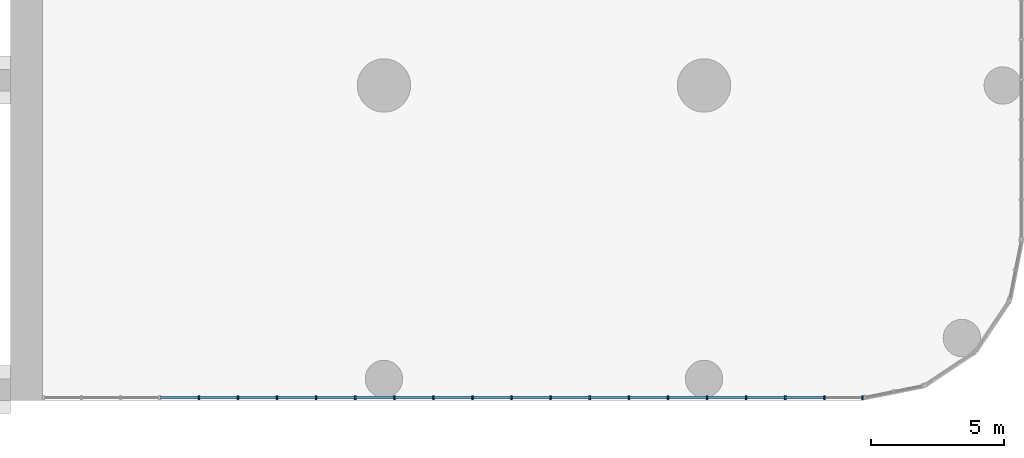
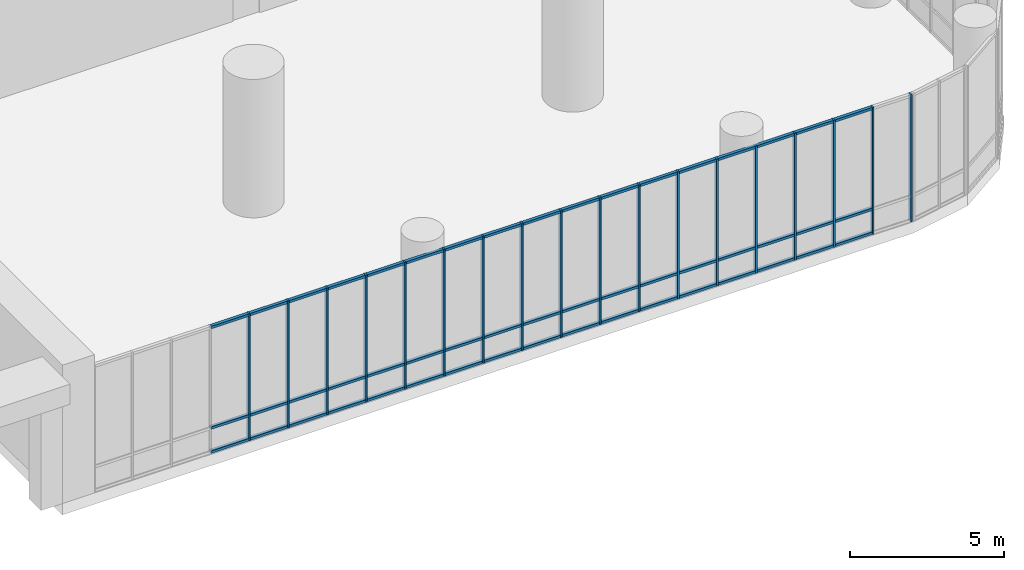
# One storey, part 13 of 30: 69 members, 1 element without a shape of its own.
"""IFC4 building model written with IfcOpenShell, lengths in metres."""

from ifc_helpers import new_model, si_unit, direction, frame, origin, origin_2d, place, context, subcontext, project, spatial, rectangle, extrude, material, layer, layer_set, material_profile, profile_set, type_object, element, aggregate, save


model = new_model("IFC4")

# Units and contexts
model_context = context("Model", 3, precision=1e-05, world=origin(), true_north=direction((0.0, 1.0)))
body_context = subcontext(model_context, "Body", "Model", "MODEL_VIEW")
ifc_project = project(units=[si_unit("LENGTHUNIT", "METRE"), si_unit("AREAUNIT", "SQUARE_METRE"), si_unit("VOLUMEUNIT", "CUBIC_METRE"), si_unit("PLANEANGLEUNIT", "RADIAN"), si_unit("MASSUNIT", "GRAM", prefix="KILO")], contexts=[model_context])

# Site, building, storey
site_placement = place(None, origin())
site = spatial("IfcSite", under=ifc_project, at=site_placement, CompositionType="ELEMENT")
building_placement = place(site_placement, origin())
building = spatial("IfcBuilding", under=site, at=building_placement, Name="Torana Hotel and Residences", CompositionType="ELEMENT")
storey_placement = place(building_placement, frame((0.0, 0.0, 12.5)))
storey = spatial("IfcBuildingStorey", under=building, at=storey_placement, Name="L02", CompositionType="ELEMENT", Elevation=12.5)

# Curtain wall, members
ifc_material_1 = material(Name="Dark anodised aluminium", Category="aluminium")
ifc_layer = layer(ifc_material_1, 0.14990234375)
ifc_layer_set = layer_set([ifc_layer], Name="CW5 PODIUM UPPER UNITISED CURTAIN WALL")
curtain_wall_type = type_object("IfcCurtainWallType", Name="CW5 PODIUM UPPER UNITISED CURTAIN WALL", PredefinedType="NOTDEFINED", material=ifc_layer_set)
curtain_wall_placement = place(storey_placement, origin())
curtain_wall = element("IfcCurtainWall", 1, at=curtain_wall_placement, inside=storey, type_object=curtain_wall_type, Name="Curtain wall CW5 L02 e1.0", PredefinedType="NOTDEFINED")
ifc_material_2 = material(Name="Dark anodised aluminium", Category="aluminium")
ifc_material_profile_1 = material_profile(ifc_material_2, rectangle(XDim=0.14990234375, YDim=0.06005859375, at=origin_2d()), Name="CW5 MULLION 60x150")
ifc_profile_set_1 = profile_set([ifc_material_profile_1], Name="Dark anodised aluminium")
member_type_1 = type_object("IfcMemberType", Name="CW5 MULLION 60x150", PredefinedType="MULLION", material=ifc_profile_set_1)
member_1_placement = place(storey_placement, frame((17.06201171875, -39.89990234375, 0.0), z_axis=(0.0, 0.0, 1.0), x_axis=(0.0, 1.0, 0.0)))
member_1 = element("IfcMember", 2, at=member_1_placement, type_object=member_type_1, Name="CW5 mullion 5", PredefinedType="MULLION", context=body_context, shape_type="SweptSolid", body=[
    extrude(rectangle(XDim=0.14990234375, YDim=0.06005859375, at=origin_2d()), origin(), (0.0, 0.0, 1.0), 5.050048828125),
])
member_2_placement = place(storey_placement, frame((18.527587890625, -39.89990234375, 0.0), z_axis=(0.0, 0.0, 1.0), x_axis=(0.0, 1.0, 0.0)))
member_2 = element("IfcMember", 3, at=member_2_placement, type_object=member_type_1, Name="CW5 mullion 6", PredefinedType="MULLION", context=body_context, shape_type="SweptSolid", body=[
    extrude(rectangle(XDim=0.14990234375, YDim=0.06005859375, at=origin_2d()), origin(), (0.0, 0.0, 1.0), 5.050048828125),
])
member_3_placement = place(storey_placement, frame((19.992919921875, -39.89990234375, 0.0), z_axis=(0.0, 0.0, 1.0), x_axis=(0.0, 1.0, 0.0)))
member_3 = element("IfcMember", 4, at=member_3_placement, type_object=member_type_1, Name="CW5 mullion 7", PredefinedType="MULLION", context=body_context, shape_type="SweptSolid", body=[
    extrude(rectangle(XDim=0.14990234375, YDim=0.06005859375, at=origin_2d()), origin(), (0.0, 0.0, 1.0), 5.050048828125),
])
member_4_placement = place(storey_placement, frame((21.45849609375, -39.89990234375, 0.0), z_axis=(0.0, 0.0, 1.0), x_axis=(0.0, 1.0, 0.0)))
member_4 = element("IfcMember", 5, at=member_4_placement, type_object=member_type_1, Name="CW5 mullion 8", PredefinedType="MULLION", context=body_context, shape_type="SweptSolid", body=[
    extrude(rectangle(XDim=0.14990234375, YDim=0.06005859375, at=origin_2d()), origin(), (0.0, 0.0, 1.0), 5.050048828125),
])
member_5_placement = place(storey_placement, frame((22.924072265625, -39.89990234375, 0.0), z_axis=(0.0, 0.0, 1.0), x_axis=(0.0, 1.0, 0.0)))
member_5 = element("IfcMember", 6, at=member_5_placement, type_object=member_type_1, Name="CW5 mullion 9", PredefinedType="MULLION", context=body_context, shape_type="SweptSolid", body=[
    extrude(rectangle(XDim=0.14990234375, YDim=0.06005859375, at=origin_2d()), origin(), (0.0, 0.0, 1.0), 5.050048828125),
])
member_6_placement = place(storey_placement, frame((24.389404296875, -39.89990234375, 0.0), z_axis=(0.0, 0.0, 1.0), x_axis=(0.0, 1.0, 0.0)))
member_6 = element("IfcMember", 7, at=member_6_placement, type_object=member_type_1, Name="CW5 mullion 10", PredefinedType="MULLION", context=body_context, shape_type="SweptSolid", body=[
    extrude(rectangle(XDim=0.14990234375, YDim=0.06005859375, at=origin_2d()), origin(), (0.0, 0.0, 1.0), 5.050048828125),
])
member_7_placement = place(storey_placement, frame((25.85498046875, -39.89990234375, 0.0), z_axis=(0.0, 0.0, 1.0), x_axis=(0.0, 1.0, 0.0)))
member_7 = element("IfcMember", 8, at=member_7_placement, type_object=member_type_1, Name="CW5 mullion 11", PredefinedType="MULLION", context=body_context, shape_type="SweptSolid", body=[
    extrude(rectangle(XDim=0.14990234375, YDim=0.06005859375, at=origin_2d()), origin(), (0.0, 0.0, 1.0), 5.050048828125),
])
member_8_placement = place(storey_placement, frame((27.320556640625, -39.89990234375, 0.0), z_axis=(0.0, 0.0, 1.0), x_axis=(0.0, 1.0, 0.0)))
member_8 = element("IfcMember", 9, at=member_8_placement, type_object=member_type_1, Name="CW5 mullion 12", PredefinedType="MULLION", context=body_context, shape_type="SweptSolid", body=[
    extrude(rectangle(XDim=0.14990234375, YDim=0.06005859375, at=origin_2d()), origin(), (0.0, 0.0, 1.0), 5.050048828125),
])
member_9_placement = place(storey_placement, frame((28.785888671875, -39.89990234375, 0.0), z_axis=(0.0, 0.0, 1.0), x_axis=(0.0, 1.0, 0.0)))
member_9 = element("IfcMember", 10, at=member_9_placement, type_object=member_type_1, Name="CW5 mullion 13", PredefinedType="MULLION", context=body_context, shape_type="SweptSolid", body=[
    extrude(rectangle(XDim=0.14990234375, YDim=0.06005859375, at=origin_2d()), origin(), (0.0, 0.0, 1.0), 5.050048828125),
])
member_10_placement = place(storey_placement, frame((30.25146484375, -39.89990234375, 0.0), z_axis=(0.0, 0.0, 1.0), x_axis=(0.0, 1.0, 0.0)))
member_10 = element("IfcMember", 11, at=member_10_placement, type_object=member_type_1, Name="CW5 mullion 14", PredefinedType="MULLION", context=body_context, shape_type="SweptSolid", body=[
    extrude(rectangle(XDim=0.14990234375, YDim=0.06005859375, at=origin_2d()), origin(), (0.0, 0.0, 1.0), 5.050048828125),
])
member_11_placement = place(storey_placement, frame((31.717041015625, -39.89990234375, 0.0), z_axis=(0.0, 0.0, 1.0), x_axis=(0.0, 1.0, 0.0)))
member_11 = element("IfcMember", 12, at=member_11_placement, type_object=member_type_1, Name="CW5 mullion 15", PredefinedType="MULLION", context=body_context, shape_type="SweptSolid", body=[
    extrude(rectangle(XDim=0.14990234375, YDim=0.06005859375, at=origin_2d()), origin(), (0.0, 0.0, 1.0), 5.050048828125),
])
member_12_placement = place(storey_placement, frame((33.182373046875, -39.89990234375, 0.0), z_axis=(0.0, 0.0, 1.0), x_axis=(0.0, 1.0, 0.0)))
member_12 = element("IfcMember", 13, at=member_12_placement, type_object=member_type_1, Name="CW5 mullion 16", PredefinedType="MULLION", context=body_context, shape_type="SweptSolid", body=[
    extrude(rectangle(XDim=0.14990234375, YDim=0.06005859375, at=origin_2d()), origin(), (0.0, 0.0, 1.0), 5.050048828125),
])
member_13_placement = place(storey_placement, frame((34.64794921875, -39.89990234375, 0.0), z_axis=(0.0, 0.0, 1.0), x_axis=(0.0, 1.0, 0.0)))
member_13 = element("IfcMember", 14, at=member_13_placement, type_object=member_type_1, Name="CW5 mullion 17", PredefinedType="MULLION", context=body_context, shape_type="SweptSolid", body=[
    extrude(rectangle(XDim=0.14990234375, YDim=0.06005859375, at=origin_2d()), origin(), (0.0, 0.0, 1.0), 5.050048828125),
])
member_14_placement = place(storey_placement, frame((36.113525390625, -39.89990234375, 0.0), z_axis=(0.0, 0.0, 1.0), x_axis=(0.0, 1.0, 0.0)))
member_14 = element("IfcMember", 15, at=member_14_placement, type_object=member_type_1, Name="CW5 mullion 18", PredefinedType="MULLION", context=body_context, shape_type="SweptSolid", body=[
    extrude(rectangle(XDim=0.14990234375, YDim=0.06005859375, at=origin_2d()), origin(), (0.0, 0.0, 1.0), 5.050048828125),
])
member_15_placement = place(storey_placement, frame((37.578857421875, -39.89990234375, 0.0), z_axis=(0.0, 0.0, 1.0), x_axis=(0.0, 1.0, 0.0)))
member_15 = element("IfcMember", 16, at=member_15_placement, type_object=member_type_1, Name="CW5 mullion 19", PredefinedType="MULLION", context=body_context, shape_type="SweptSolid", body=[
    extrude(rectangle(XDim=0.14990234375, YDim=0.06005859375, at=origin_2d()), origin(), (0.0, 0.0, 1.0), 5.050048828125),
])
member_16_placement = place(storey_placement, frame((39.04443359375, -39.89990234375, 0.0), z_axis=(0.0, 0.0, 1.0), x_axis=(0.0, 1.0, 0.0)))
member_16 = element("IfcMember", 17, at=member_16_placement, type_object=member_type_1, Name="CW5 mullion 20", PredefinedType="MULLION", context=body_context, shape_type="SweptSolid", body=[
    extrude(rectangle(XDim=0.14990234375, YDim=0.06005859375, at=origin_2d()), origin(), (0.0, 0.0, 1.0), 5.050048828125),
])
member_17_placement = place(storey_placement, frame((40.510009765625, -39.89990234375, 0.0), z_axis=(0.0, 0.0, 1.0), x_axis=(0.0, 1.0, 0.0)))
member_17 = element("IfcMember", 18, at=member_17_placement, type_object=member_type_1, Name="CW5 mullion 21", PredefinedType="MULLION", context=body_context, shape_type="SweptSolid", body=[
    extrude(rectangle(XDim=0.14990234375, YDim=0.06005859375, at=origin_2d()), origin(), (0.0, 0.0, 1.0), 5.050048828125),
])
member_18_placement = place(storey_placement, frame((41.9453125, -39.89990234375, 0.0), z_axis=(0.0, 0.0, 1.0), x_axis=(0.0, 1.0, 0.0)))
member_18 = element("IfcMember", 19, at=member_18_placement, type_object=member_type_1, Name="CW5 mullion 22", PredefinedType="MULLION", context=body_context, shape_type="SweptSolid", body=[
    extrude(rectangle(XDim=0.14990234375, YDim=0.06005859375, at=origin_2d()), origin(), (0.0, 0.0, 1.0), 5.050048828125),
])
ifc_material_3 = material(Name="Dark anodised aluminium", Category="aluminium")
ifc_material_profile_2 = material_profile(ifc_material_3, rectangle(XDim=0.1201171875, YDim=0.10009765625, at=origin_2d()), Name="CW5 TRANSOM 120x100")
ifc_profile_set_2 = profile_set([ifc_material_profile_2], Name="Dark anodised aluminium")
member_type_2 = type_object("IfcMemberType", Name="CW5 TRANSOM 120x100", PredefinedType="USERDEFINED", material=ifc_profile_set_2)
member_19_placement = place(storey_placement, frame((15.62646484375, -39.89990234375, 0.050048828125), z_axis=(1.0, 0.0, 0.0), x_axis=(0.0, 1.0, 0.0)))
member_19 = element("IfcMember", 20, at=member_19_placement, type_object=member_type_2, Name="CW5 transom 4.1", ObjectType="TRANSOM", PredefinedType="USERDEFINED", context=body_context, shape_type="SweptSolid", body=[
    extrude(rectangle(XDim=0.1201171875, YDim=0.10009765625, at=origin_2d()), origin(), (0.0, 0.0, 1.0), 1.405517578125),
])
member_20_placement = place(storey_placement, frame((15.62646484375, -39.89990234375, 1.0), z_axis=(1.0, 0.0, 0.0), x_axis=(0.0, 1.0, 0.0)))
member_20 = element("IfcMember", 21, at=member_20_placement, type_object=member_type_2, Name="CW5 transom 4.2", ObjectType="TRANSOM", PredefinedType="USERDEFINED", context=body_context, shape_type="SweptSolid", body=[
    extrude(rectangle(XDim=0.1201171875, YDim=0.10009765625, at=origin_2d()), origin(), (0.0, 0.0, 1.0), 1.405517578125),
])
member_21_placement = place(storey_placement, frame((15.62646484375, -39.89990234375, 5.0), z_axis=(1.0, 0.0, 0.0), x_axis=(0.0, 1.0, 0.0)))
member_21 = element("IfcMember", 22, at=member_21_placement, type_object=member_type_2, Name="CW5 transom 4.3", ObjectType="TRANSOM", PredefinedType="USERDEFINED", context=body_context, shape_type="SweptSolid", body=[
    extrude(rectangle(XDim=0.1201171875, YDim=0.10009765625, at=origin_2d()), origin(), (0.0, 0.0, 1.0), 1.405517578125),
])
member_22_placement = place(storey_placement, frame((17.092041015625, -39.89990234375, 0.050048828125), z_axis=(1.0, 0.0, 0.0), x_axis=(0.0, 1.0, 0.0)))
member_22 = element("IfcMember", 23, at=member_22_placement, type_object=member_type_2, Name="CW5 transom 5.1", ObjectType="TRANSOM", PredefinedType="USERDEFINED", context=body_context, shape_type="SweptSolid", body=[
    extrude(rectangle(XDim=0.1201171875, YDim=0.10009765625, at=origin_2d()), origin(), (0.0, 0.0, 1.0), 1.405517578125),
])
member_23_placement = place(storey_placement, frame((17.092041015625, -39.89990234375, 1.0), z_axis=(1.0, 0.0, 0.0), x_axis=(0.0, 1.0, 0.0)))
member_23 = element("IfcMember", 24, at=member_23_placement, type_object=member_type_2, Name="CW5 transom 5.2", ObjectType="TRANSOM", PredefinedType="USERDEFINED", context=body_context, shape_type="SweptSolid", body=[
    extrude(rectangle(XDim=0.1201171875, YDim=0.10009765625, at=origin_2d()), origin(), (0.0, 0.0, 1.0), 1.405517578125),
])
member_24_placement = place(storey_placement, frame((17.092041015625, -39.89990234375, 5.0), z_axis=(1.0, 0.0, 0.0), x_axis=(0.0, 1.0, 0.0)))
member_24 = element("IfcMember", 25, at=member_24_placement, type_object=member_type_2, Name="CW5 transom 5.3", ObjectType="TRANSOM", PredefinedType="USERDEFINED", context=body_context, shape_type="SweptSolid", body=[
    extrude(rectangle(XDim=0.1201171875, YDim=0.10009765625, at=origin_2d()), origin(), (0.0, 0.0, 1.0), 1.405517578125),
])
member_25_placement = place(storey_placement, frame((18.557373046875, -39.89990234375, 0.050048828125), z_axis=(1.0, 0.0, 0.0), x_axis=(0.0, 1.0, 0.0)))
member_25 = element("IfcMember", 26, at=member_25_placement, type_object=member_type_2, Name="CW5 transom 6.1", ObjectType="TRANSOM", PredefinedType="USERDEFINED", context=body_context, shape_type="SweptSolid", body=[
    extrude(rectangle(XDim=0.1201171875, YDim=0.10009765625, at=origin_2d()), origin(), (0.0, 0.0, 1.0), 1.405517578125),
])
member_26_placement = place(storey_placement, frame((18.557373046875, -39.89990234375, 1.0), z_axis=(1.0, 0.0, 0.0), x_axis=(0.0, 1.0, 0.0)))
member_26 = element("IfcMember", 27, at=member_26_placement, type_object=member_type_2, Name="CW5 transom 6.2", ObjectType="TRANSOM", PredefinedType="USERDEFINED", context=body_context, shape_type="SweptSolid", body=[
    extrude(rectangle(XDim=0.1201171875, YDim=0.10009765625, at=origin_2d()), origin(), (0.0, 0.0, 1.0), 1.405517578125),
])
member_27_placement = place(storey_placement, frame((18.557373046875, -39.89990234375, 5.0), z_axis=(1.0, 0.0, 0.0), x_axis=(0.0, 1.0, 0.0)))
member_27 = element("IfcMember", 28, at=member_27_placement, type_object=member_type_2, Name="CW5 transom 6.3", ObjectType="TRANSOM", PredefinedType="USERDEFINED", context=body_context, shape_type="SweptSolid", body=[
    extrude(rectangle(XDim=0.1201171875, YDim=0.10009765625, at=origin_2d()), origin(), (0.0, 0.0, 1.0), 1.405517578125),
])
member_28_placement = place(storey_placement, frame((20.02294921875, -39.89990234375, 0.050048828125), z_axis=(1.0, 0.0, 0.0), x_axis=(0.0, 1.0, 0.0)))
member_28 = element("IfcMember", 29, at=member_28_placement, type_object=member_type_2, Name="CW5 transom 7.1", ObjectType="TRANSOM", PredefinedType="USERDEFINED", context=body_context, shape_type="SweptSolid", body=[
    extrude(rectangle(XDim=0.1201171875, YDim=0.10009765625, at=origin_2d()), origin(), (0.0, 0.0, 1.0), 1.405517578125),
])
member_29_placement = place(storey_placement, frame((20.02294921875, -39.89990234375, 1.0), z_axis=(1.0, 0.0, 0.0), x_axis=(0.0, 1.0, 0.0)))
member_29 = element("IfcMember", 30, at=member_29_placement, type_object=member_type_2, Name="CW5 transom 7.2", ObjectType="TRANSOM", PredefinedType="USERDEFINED", context=body_context, shape_type="SweptSolid", body=[
    extrude(rectangle(XDim=0.1201171875, YDim=0.10009765625, at=origin_2d()), origin(), (0.0, 0.0, 1.0), 1.405517578125),
])
member_30_placement = place(storey_placement, frame((20.02294921875, -39.89990234375, 5.0), z_axis=(1.0, 0.0, 0.0), x_axis=(0.0, 1.0, 0.0)))
member_30 = element("IfcMember", 31, at=member_30_placement, type_object=member_type_2, Name="CW5 transom 7.3", ObjectType="TRANSOM", PredefinedType="USERDEFINED", context=body_context, shape_type="SweptSolid", body=[
    extrude(rectangle(XDim=0.1201171875, YDim=0.10009765625, at=origin_2d()), origin(), (0.0, 0.0, 1.0), 1.405517578125),
])
member_31_placement = place(storey_placement, frame((21.488525390625, -39.89990234375, 0.050048828125), z_axis=(1.0, 0.0, 0.0), x_axis=(0.0, 1.0, 0.0)))
member_31 = element("IfcMember", 32, at=member_31_placement, type_object=member_type_2, Name="CW5 transom 8.1", ObjectType="TRANSOM", PredefinedType="USERDEFINED", context=body_context, shape_type="SweptSolid", body=[
    extrude(rectangle(XDim=0.1201171875, YDim=0.10009765625, at=origin_2d()), origin(), (0.0, 0.0, 1.0), 1.405517578125),
])
member_32_placement = place(storey_placement, frame((21.488525390625, -39.89990234375, 1.0), z_axis=(1.0, 0.0, 0.0), x_axis=(0.0, 1.0, 0.0)))
member_32 = element("IfcMember", 33, at=member_32_placement, type_object=member_type_2, Name="CW5 transom 8.2", ObjectType="TRANSOM", PredefinedType="USERDEFINED", context=body_context, shape_type="SweptSolid", body=[
    extrude(rectangle(XDim=0.1201171875, YDim=0.10009765625, at=origin_2d()), origin(), (0.0, 0.0, 1.0), 1.405517578125),
])
member_33_placement = place(storey_placement, frame((21.488525390625, -39.89990234375, 5.0), z_axis=(1.0, 0.0, 0.0), x_axis=(0.0, 1.0, 0.0)))
member_33 = element("IfcMember", 34, at=member_33_placement, type_object=member_type_2, Name="CW5 transom 8.3", ObjectType="TRANSOM", PredefinedType="USERDEFINED", context=body_context, shape_type="SweptSolid", body=[
    extrude(rectangle(XDim=0.1201171875, YDim=0.10009765625, at=origin_2d()), origin(), (0.0, 0.0, 1.0), 1.405517578125),
])
member_34_placement = place(storey_placement, frame((22.953857421875, -39.89990234375, 0.050048828125), z_axis=(1.0, 0.0, 0.0), x_axis=(0.0, 1.0, 0.0)))
member_34 = element("IfcMember", 35, at=member_34_placement, type_object=member_type_2, Name="CW5 transom 9.1", ObjectType="TRANSOM", PredefinedType="USERDEFINED", context=body_context, shape_type="SweptSolid", body=[
    extrude(rectangle(XDim=0.1201171875, YDim=0.10009765625, at=origin_2d()), origin(), (0.0, 0.0, 1.0), 1.405517578125),
])
member_35_placement = place(storey_placement, frame((22.953857421875, -39.89990234375, 1.0), z_axis=(1.0, 0.0, 0.0), x_axis=(0.0, 1.0, 0.0)))
member_35 = element("IfcMember", 36, at=member_35_placement, type_object=member_type_2, Name="CW5 transom 9.2", ObjectType="TRANSOM", PredefinedType="USERDEFINED", context=body_context, shape_type="SweptSolid", body=[
    extrude(rectangle(XDim=0.1201171875, YDim=0.10009765625, at=origin_2d()), origin(), (0.0, 0.0, 1.0), 1.405517578125),
])
member_36_placement = place(storey_placement, frame((22.953857421875, -39.89990234375, 5.0), z_axis=(1.0, 0.0, 0.0), x_axis=(0.0, 1.0, 0.0)))
member_36 = element("IfcMember", 37, at=member_36_placement, type_object=member_type_2, Name="CW5 transom 9.3", ObjectType="TRANSOM", PredefinedType="USERDEFINED", context=body_context, shape_type="SweptSolid", body=[
    extrude(rectangle(XDim=0.1201171875, YDim=0.10009765625, at=origin_2d()), origin(), (0.0, 0.0, 1.0), 1.405517578125),
])
member_37_placement = place(storey_placement, frame((24.41943359375, -39.89990234375, 0.050048828125), z_axis=(1.0, 0.0, 0.0), x_axis=(0.0, 1.0, 0.0)))
member_37 = element("IfcMember", 38, at=member_37_placement, type_object=member_type_2, Name="CW5 transom 10.1", ObjectType="TRANSOM", PredefinedType="USERDEFINED", context=body_context, shape_type="SweptSolid", body=[
    extrude(rectangle(XDim=0.1201171875, YDim=0.10009765625, at=origin_2d()), origin(), (0.0, 0.0, 1.0), 1.405517578125),
])
member_38_placement = place(storey_placement, frame((24.41943359375, -39.89990234375, 1.0), z_axis=(1.0, 0.0, 0.0), x_axis=(0.0, 1.0, 0.0)))
member_38 = element("IfcMember", 39, at=member_38_placement, type_object=member_type_2, Name="CW5 transom 10.2", ObjectType="TRANSOM", PredefinedType="USERDEFINED", context=body_context, shape_type="SweptSolid", body=[
    extrude(rectangle(XDim=0.1201171875, YDim=0.10009765625, at=origin_2d()), origin(), (0.0, 0.0, 1.0), 1.405517578125),
])
member_39_placement = place(storey_placement, frame((24.41943359375, -39.89990234375, 5.0), z_axis=(1.0, 0.0, 0.0), x_axis=(0.0, 1.0, 0.0)))
member_39 = element("IfcMember", 40, at=member_39_placement, type_object=member_type_2, Name="CW5 transom 10.3", ObjectType="TRANSOM", PredefinedType="USERDEFINED", context=body_context, shape_type="SweptSolid", body=[
    extrude(rectangle(XDim=0.1201171875, YDim=0.10009765625, at=origin_2d()), origin(), (0.0, 0.0, 1.0), 1.405517578125),
])
member_40_placement = place(storey_placement, frame((25.885009765625, -39.89990234375, 0.050048828125), z_axis=(1.0, 0.0, 0.0), x_axis=(0.0, 1.0, 0.0)))
member_40 = element("IfcMember", 41, at=member_40_placement, type_object=member_type_2, Name="CW5 transom 11.1", ObjectType="TRANSOM", PredefinedType="USERDEFINED", context=body_context, shape_type="SweptSolid", body=[
    extrude(rectangle(XDim=0.1201171875, YDim=0.10009765625, at=origin_2d()), origin(), (0.0, 0.0, 1.0), 1.405517578125),
])
member_41_placement = place(storey_placement, frame((25.885009765625, -39.89990234375, 1.0), z_axis=(1.0, 0.0, 0.0), x_axis=(0.0, 1.0, 0.0)))
member_41 = element("IfcMember", 42, at=member_41_placement, type_object=member_type_2, Name="CW5 transom 11.2", ObjectType="TRANSOM", PredefinedType="USERDEFINED", context=body_context, shape_type="SweptSolid", body=[
    extrude(rectangle(XDim=0.1201171875, YDim=0.10009765625, at=origin_2d()), origin(), (0.0, 0.0, 1.0), 1.405517578125),
])
member_42_placement = place(storey_placement, frame((25.885009765625, -39.89990234375, 5.0), z_axis=(1.0, 0.0, 0.0), x_axis=(0.0, 1.0, 0.0)))
member_42 = element("IfcMember", 43, at=member_42_placement, type_object=member_type_2, Name="CW5 transom 11.3", ObjectType="TRANSOM", PredefinedType="USERDEFINED", context=body_context, shape_type="SweptSolid", body=[
    extrude(rectangle(XDim=0.1201171875, YDim=0.10009765625, at=origin_2d()), origin(), (0.0, 0.0, 1.0), 1.405517578125),
])
member_43_placement = place(storey_placement, frame((27.350341796875, -39.89990234375, 0.050048828125), z_axis=(1.0, 0.0, 0.0), x_axis=(0.0, 1.0, 0.0)))
member_43 = element("IfcMember", 44, at=member_43_placement, type_object=member_type_2, Name="CW5 transom 12.1", ObjectType="TRANSOM", PredefinedType="USERDEFINED", context=body_context, shape_type="SweptSolid", body=[
    extrude(rectangle(XDim=0.1201171875, YDim=0.10009765625, at=origin_2d()), origin(), (0.0, 0.0, 1.0), 1.405517578125),
])
member_44_placement = place(storey_placement, frame((27.350341796875, -39.89990234375, 1.0), z_axis=(1.0, 0.0, 0.0), x_axis=(0.0, 1.0, 0.0)))
member_44 = element("IfcMember", 45, at=member_44_placement, type_object=member_type_2, Name="CW5 transom 12.2", ObjectType="TRANSOM", PredefinedType="USERDEFINED", context=body_context, shape_type="SweptSolid", body=[
    extrude(rectangle(XDim=0.1201171875, YDim=0.10009765625, at=origin_2d()), origin(), (0.0, 0.0, 1.0), 1.405517578125),
])
member_45_placement = place(storey_placement, frame((27.350341796875, -39.89990234375, 5.0), z_axis=(1.0, 0.0, 0.0), x_axis=(0.0, 1.0, 0.0)))
member_45 = element("IfcMember", 46, at=member_45_placement, type_object=member_type_2, Name="CW5 transom 12.3", ObjectType="TRANSOM", PredefinedType="USERDEFINED", context=body_context, shape_type="SweptSolid", body=[
    extrude(rectangle(XDim=0.1201171875, YDim=0.10009765625, at=origin_2d()), origin(), (0.0, 0.0, 1.0), 1.405517578125),
])
member_46_placement = place(storey_placement, frame((28.81591796875, -39.89990234375, 0.050048828125), z_axis=(1.0, 0.0, 0.0), x_axis=(0.0, 1.0, 0.0)))
member_46 = element("IfcMember", 47, at=member_46_placement, type_object=member_type_2, Name="CW5 transom 13.1", ObjectType="TRANSOM", PredefinedType="USERDEFINED", context=body_context, shape_type="SweptSolid", body=[
    extrude(rectangle(XDim=0.1201171875, YDim=0.10009765625, at=origin_2d()), origin(), (0.0, 0.0, 1.0), 1.405517578125),
])
member_47_placement = place(storey_placement, frame((28.81591796875, -39.89990234375, 1.0), z_axis=(1.0, 0.0, 0.0), x_axis=(0.0, 1.0, 0.0)))
member_47 = element("IfcMember", 48, at=member_47_placement, type_object=member_type_2, Name="CW5 transom 13.2", ObjectType="TRANSOM", PredefinedType="USERDEFINED", context=body_context, shape_type="SweptSolid", body=[
    extrude(rectangle(XDim=0.1201171875, YDim=0.10009765625, at=origin_2d()), origin(), (0.0, 0.0, 1.0), 1.405517578125),
])
member_48_placement = place(storey_placement, frame((28.81591796875, -39.89990234375, 5.0), z_axis=(1.0, 0.0, 0.0), x_axis=(0.0, 1.0, 0.0)))
member_48 = element("IfcMember", 49, at=member_48_placement, type_object=member_type_2, Name="CW5 transom 13.3", ObjectType="TRANSOM", PredefinedType="USERDEFINED", context=body_context, shape_type="SweptSolid", body=[
    extrude(rectangle(XDim=0.1201171875, YDim=0.10009765625, at=origin_2d()), origin(), (0.0, 0.0, 1.0), 1.405517578125),
])
member_49_placement = place(storey_placement, frame((30.281494140625, -39.89990234375, 0.050048828125), z_axis=(1.0, 0.0, 0.0), x_axis=(0.0, 1.0, 0.0)))
member_49 = element("IfcMember", 50, at=member_49_placement, type_object=member_type_2, Name="CW5 transom 14.1", ObjectType="TRANSOM", PredefinedType="USERDEFINED", context=body_context, shape_type="SweptSolid", body=[
    extrude(rectangle(XDim=0.1201171875, YDim=0.10009765625, at=origin_2d()), origin(), (0.0, 0.0, 1.0), 1.405517578125),
])
member_50_placement = place(storey_placement, frame((30.281494140625, -39.89990234375, 1.0), z_axis=(1.0, 0.0, 0.0), x_axis=(0.0, 1.0, 0.0)))
member_50 = element("IfcMember", 51, at=member_50_placement, type_object=member_type_2, Name="CW5 transom 14.2", ObjectType="TRANSOM", PredefinedType="USERDEFINED", context=body_context, shape_type="SweptSolid", body=[
    extrude(rectangle(XDim=0.1201171875, YDim=0.10009765625, at=origin_2d()), origin(), (0.0, 0.0, 1.0), 1.405517578125),
])
member_51_placement = place(storey_placement, frame((30.281494140625, -39.89990234375, 5.0), z_axis=(1.0, 0.0, 0.0), x_axis=(0.0, 1.0, 0.0)))
member_51 = element("IfcMember", 52, at=member_51_placement, type_object=member_type_2, Name="CW5 transom 14.3", ObjectType="TRANSOM", PredefinedType="USERDEFINED", context=body_context, shape_type="SweptSolid", body=[
    extrude(rectangle(XDim=0.1201171875, YDim=0.10009765625, at=origin_2d()), origin(), (0.0, 0.0, 1.0), 1.405517578125),
])
member_52_placement = place(storey_placement, frame((31.746826171875, -39.89990234375, 0.050048828125), z_axis=(1.0, 0.0, 0.0), x_axis=(0.0, 1.0, 0.0)))
member_52 = element("IfcMember", 53, at=member_52_placement, type_object=member_type_2, Name="CW5 transom 15.1", ObjectType="TRANSOM", PredefinedType="USERDEFINED", context=body_context, shape_type="SweptSolid", body=[
    extrude(rectangle(XDim=0.1201171875, YDim=0.10009765625, at=origin_2d()), origin(), (0.0, 0.0, 1.0), 1.405517578125),
])
member_53_placement = place(storey_placement, frame((31.746826171875, -39.89990234375, 1.0), z_axis=(1.0, 0.0, 0.0), x_axis=(0.0, 1.0, 0.0)))
member_53 = element("IfcMember", 54, at=member_53_placement, type_object=member_type_2, Name="CW5 transom 15.2", ObjectType="TRANSOM", PredefinedType="USERDEFINED", context=body_context, shape_type="SweptSolid", body=[
    extrude(rectangle(XDim=0.1201171875, YDim=0.10009765625, at=origin_2d()), origin(), (0.0, 0.0, 1.0), 1.405517578125),
])
member_54_placement = place(storey_placement, frame((31.746826171875, -39.89990234375, 5.0), z_axis=(1.0, 0.0, 0.0), x_axis=(0.0, 1.0, 0.0)))
member_54 = element("IfcMember", 55, at=member_54_placement, type_object=member_type_2, Name="CW5 transom 15.3", ObjectType="TRANSOM", PredefinedType="USERDEFINED", context=body_context, shape_type="SweptSolid", body=[
    extrude(rectangle(XDim=0.1201171875, YDim=0.10009765625, at=origin_2d()), origin(), (0.0, 0.0, 1.0), 1.405517578125),
])
member_55_placement = place(storey_placement, frame((33.21240234375, -39.89990234375, 0.050048828125), z_axis=(1.0, 0.0, 0.0), x_axis=(0.0, 1.0, 0.0)))
member_55 = element("IfcMember", 56, at=member_55_placement, type_object=member_type_2, Name="CW5 transom 16.1", ObjectType="TRANSOM", PredefinedType="USERDEFINED", context=body_context, shape_type="SweptSolid", body=[
    extrude(rectangle(XDim=0.1201171875, YDim=0.10009765625, at=origin_2d()), origin(), (0.0, 0.0, 1.0), 1.405517578125),
])
member_56_placement = place(storey_placement, frame((33.21240234375, -39.89990234375, 1.0), z_axis=(1.0, 0.0, 0.0), x_axis=(0.0, 1.0, 0.0)))
member_56 = element("IfcMember", 57, at=member_56_placement, type_object=member_type_2, Name="CW5 transom 16.2", ObjectType="TRANSOM", PredefinedType="USERDEFINED", context=body_context, shape_type="SweptSolid", body=[
    extrude(rectangle(XDim=0.1201171875, YDim=0.10009765625, at=origin_2d()), origin(), (0.0, 0.0, 1.0), 1.405517578125),
])
member_57_placement = place(storey_placement, frame((33.21240234375, -39.89990234375, 5.0), z_axis=(1.0, 0.0, 0.0), x_axis=(0.0, 1.0, 0.0)))
member_57 = element("IfcMember", 58, at=member_57_placement, type_object=member_type_2, Name="CW5 transom 16.3", ObjectType="TRANSOM", PredefinedType="USERDEFINED", context=body_context, shape_type="SweptSolid", body=[
    extrude(rectangle(XDim=0.1201171875, YDim=0.10009765625, at=origin_2d()), origin(), (0.0, 0.0, 1.0), 1.405517578125),
])
member_58_placement = place(storey_placement, frame((34.677978515625, -39.89990234375, 0.050048828125), z_axis=(1.0, 0.0, 0.0), x_axis=(0.0, 1.0, 0.0)))
member_58 = element("IfcMember", 59, at=member_58_placement, type_object=member_type_2, Name="CW5 transom 17.1", ObjectType="TRANSOM", PredefinedType="USERDEFINED", context=body_context, shape_type="SweptSolid", body=[
    extrude(rectangle(XDim=0.1201171875, YDim=0.10009765625, at=origin_2d()), origin(), (0.0, 0.0, 1.0), 1.405517578125),
])
member_59_placement = place(storey_placement, frame((34.677978515625, -39.89990234375, 1.0), z_axis=(1.0, 0.0, 0.0), x_axis=(0.0, 1.0, 0.0)))
member_59 = element("IfcMember", 60, at=member_59_placement, type_object=member_type_2, Name="CW5 transom 17.2", ObjectType="TRANSOM", PredefinedType="USERDEFINED", context=body_context, shape_type="SweptSolid", body=[
    extrude(rectangle(XDim=0.1201171875, YDim=0.10009765625, at=origin_2d()), origin(), (0.0, 0.0, 1.0), 1.405517578125),
])
member_60_placement = place(storey_placement, frame((34.677978515625, -39.89990234375, 5.0), z_axis=(1.0, 0.0, 0.0), x_axis=(0.0, 1.0, 0.0)))
member_60 = element("IfcMember", 61, at=member_60_placement, type_object=member_type_2, Name="CW5 transom 17.3", ObjectType="TRANSOM", PredefinedType="USERDEFINED", context=body_context, shape_type="SweptSolid", body=[
    extrude(rectangle(XDim=0.1201171875, YDim=0.10009765625, at=origin_2d()), origin(), (0.0, 0.0, 1.0), 1.405517578125),
])
member_61_placement = place(storey_placement, frame((36.143310546875, -39.89990234375, 0.050048828125), z_axis=(1.0, 0.0, 0.0), x_axis=(0.0, 1.0, 0.0)))
member_61 = element("IfcMember", 62, at=member_61_placement, type_object=member_type_2, Name="CW5 transom 18.1", ObjectType="TRANSOM", PredefinedType="USERDEFINED", context=body_context, shape_type="SweptSolid", body=[
    extrude(rectangle(XDim=0.1201171875, YDim=0.10009765625, at=origin_2d()), origin(), (0.0, 0.0, 1.0), 1.405517578125),
])
member_62_placement = place(storey_placement, frame((36.143310546875, -39.89990234375, 1.0), z_axis=(1.0, 0.0, 0.0), x_axis=(0.0, 1.0, 0.0)))
member_62 = element("IfcMember", 63, at=member_62_placement, type_object=member_type_2, Name="CW5 transom 18.2", ObjectType="TRANSOM", PredefinedType="USERDEFINED", context=body_context, shape_type="SweptSolid", body=[
    extrude(rectangle(XDim=0.1201171875, YDim=0.10009765625, at=origin_2d()), origin(), (0.0, 0.0, 1.0), 1.405517578125),
])
member_63_placement = place(storey_placement, frame((36.143310546875, -39.89990234375, 5.0), z_axis=(1.0, 0.0, 0.0), x_axis=(0.0, 1.0, 0.0)))
member_63 = element("IfcMember", 64, at=member_63_placement, type_object=member_type_2, Name="CW5 transom 18.3", ObjectType="TRANSOM", PredefinedType="USERDEFINED", context=body_context, shape_type="SweptSolid", body=[
    extrude(rectangle(XDim=0.1201171875, YDim=0.10009765625, at=origin_2d()), origin(), (0.0, 0.0, 1.0), 1.405517578125),
])
member_64_placement = place(storey_placement, frame((37.60888671875, -39.89990234375, 0.050048828125), z_axis=(1.0, 0.0, 0.0), x_axis=(0.0, 1.0, 0.0)))
member_64 = element("IfcMember", 65, at=member_64_placement, type_object=member_type_2, Name="CW5 transom 19.1", ObjectType="TRANSOM", PredefinedType="USERDEFINED", context=body_context, shape_type="SweptSolid", body=[
    extrude(rectangle(XDim=0.1201171875, YDim=0.10009765625, at=origin_2d()), origin(), (0.0, 0.0, 1.0), 1.405517578125),
])
member_65_placement = place(storey_placement, frame((37.60888671875, -39.89990234375, 1.0), z_axis=(1.0, 0.0, 0.0), x_axis=(0.0, 1.0, 0.0)))
member_65 = element("IfcMember", 66, at=member_65_placement, type_object=member_type_2, Name="CW5 transom 19.2", ObjectType="TRANSOM", PredefinedType="USERDEFINED", context=body_context, shape_type="SweptSolid", body=[
    extrude(rectangle(XDim=0.1201171875, YDim=0.10009765625, at=origin_2d()), origin(), (0.0, 0.0, 1.0), 1.405517578125),
])
member_66_placement = place(storey_placement, frame((37.60888671875, -39.89990234375, 5.0), z_axis=(1.0, 0.0, 0.0), x_axis=(0.0, 1.0, 0.0)))
member_66 = element("IfcMember", 67, at=member_66_placement, type_object=member_type_2, Name="CW5 transom 19.3", ObjectType="TRANSOM", PredefinedType="USERDEFINED", context=body_context, shape_type="SweptSolid", body=[
    extrude(rectangle(XDim=0.1201171875, YDim=0.10009765625, at=origin_2d()), origin(), (0.0, 0.0, 1.0), 1.405517578125),
])
member_67_placement = place(storey_placement, frame((39.074462890625, -39.89990234375, 0.050048828125), z_axis=(1.0, 0.0, 0.0), x_axis=(0.0, 1.0, 0.0)))
member_67 = element("IfcMember", 68, at=member_67_placement, type_object=member_type_2, Name="CW5 transom 20.1", ObjectType="TRANSOM", PredefinedType="USERDEFINED", context=body_context, shape_type="SweptSolid", body=[
    extrude(rectangle(XDim=0.1201171875, YDim=0.10009765625, at=origin_2d()), origin(), (0.0, 0.0, 1.0), 1.405517578125),
])
member_68_placement = place(storey_placement, frame((39.074462890625, -39.89990234375, 1.0), z_axis=(1.0, 0.0, 0.0), x_axis=(0.0, 1.0, 0.0)))
member_68 = element("IfcMember", 69, at=member_68_placement, type_object=member_type_2, Name="CW5 transom 20.2", ObjectType="TRANSOM", PredefinedType="USERDEFINED", context=body_context, shape_type="SweptSolid", body=[
    extrude(rectangle(XDim=0.1201171875, YDim=0.10009765625, at=origin_2d()), origin(), (0.0, 0.0, 1.0), 1.405517578125),
])
member_69_placement = place(storey_placement, frame((39.074462890625, -39.89990234375, 5.0), z_axis=(1.0, 0.0, 0.0), x_axis=(0.0, 1.0, 0.0)))
member_69 = element("IfcMember", 70, at=member_69_placement, type_object=member_type_2, Name="CW5 transom 20.3", ObjectType="TRANSOM", PredefinedType="USERDEFINED", context=body_context, shape_type="SweptSolid", body=[
    extrude(rectangle(XDim=0.1201171875, YDim=0.10009765625, at=origin_2d()), origin(), (0.0, 0.0, 1.0), 1.405517578125),
])
aggregate(curtain_wall, [member_1, member_2, member_3, member_4, member_5, member_6, member_7, member_8, member_9, member_10, member_11, member_12, member_13, member_14, member_15, member_16, member_17, member_18, member_19, member_20, member_21, member_22, member_23, member_24, member_25, member_26, member_27, member_28, member_29, member_30, member_31, member_32, member_33, member_34, member_35, member_36, member_37, member_38, member_39, member_40, member_41, member_42, member_43, member_44, member_45, member_46, member_47, member_48, member_49, member_50, member_51, member_52, member_53, member_54, member_55, member_56, member_57, member_58, member_59, member_60, member_61, member_62, member_63, member_64, member_65, member_66, member_67, member_68, member_69])

save(model, "model.ifc")
